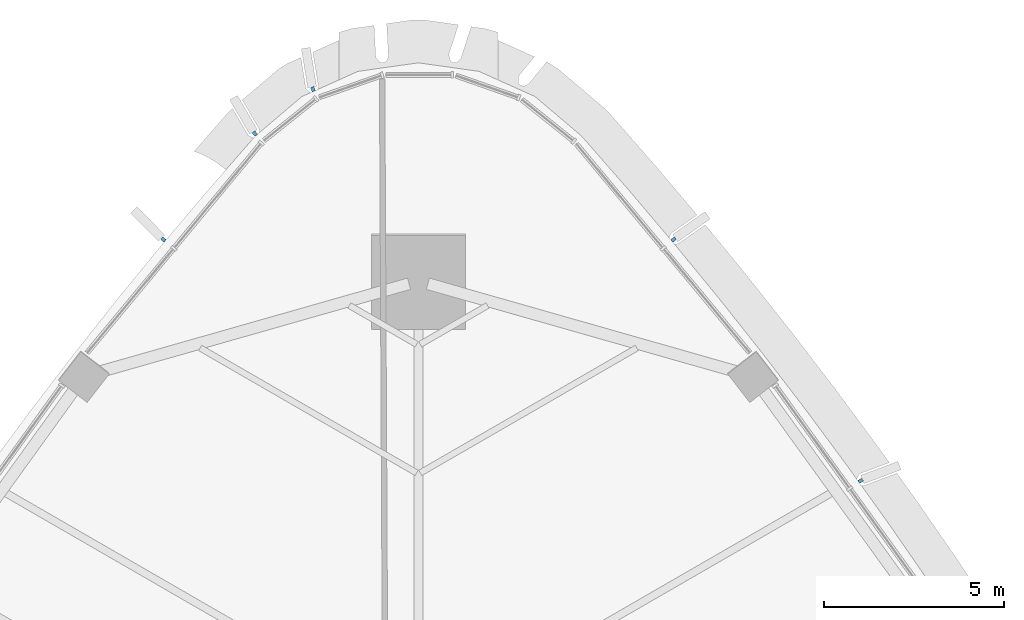
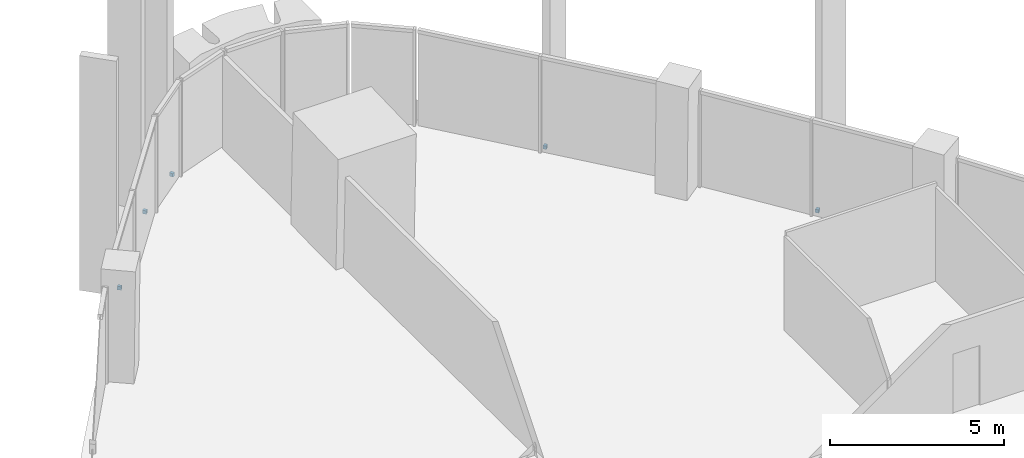
# One storey, part 15 of 19: 5 discrete accessories.
"""IFC4 building model written with IfcOpenShell, lengths in metres."""

from ifc_helpers import new_model, si_unit, direction, frame, origin, origin_2d, place, context, subcontext, project, spatial, rectangle, extrude, material, type_object, element, save


model = new_model("IFC4")

# Units and contexts
model_context = context("Model", 3, precision=1e-05, world=origin(), true_north=direction((0.0, 1.0)))
body_context = subcontext(model_context, "Body", "Model", "MODEL_VIEW")
ifc_project = project(units=[si_unit("LENGTHUNIT", "METRE"), si_unit("AREAUNIT", "SQUARE_METRE"), si_unit("VOLUMEUNIT", "CUBIC_METRE"), si_unit("PLANEANGLEUNIT", "RADIAN"), si_unit("MASSUNIT", "GRAM", prefix="KILO")], contexts=[model_context])

# Site, building, storey
site_placement = place(None, origin())
site = spatial("IfcSite", under=ifc_project, at=site_placement, CompositionType="ELEMENT")
building_placement = place(site_placement, origin())
building = spatial("IfcBuilding", under=site, at=building_placement, Name="Sierra Prisma Convention Tower", CompositionType="ELEMENT")
storey_placement = place(building_placement, frame((0.0, 0.0, 193.800048828125)))
storey = spatial("IfcBuildingStorey", under=building, at=storey_placement, Name="L43", CompositionType="ELEMENT", Elevation=193.800048828125)

# Discrete accessories
ifc_material = material(Name="Stainless steel 316", Category="steel")
discrete_accessory_type = type_object("IfcDiscreteAccessoryType", Name="Fin bracket", PredefinedType="BRACKET", material=ifc_material)
for number, where, z_axis, x_axis, name in (
    (1, (12.27197265625, 21.2314453125, -0.135009765625), (0.0, 0.0, 1.0), (0.813205803504, 0.581976220431, 0.0), "Fin bracket L43.36 base"),
    (2, (7.07958984375, 27.925048828125, -0.135009765625), (0.0, 0.0, 1.0), (0.76325829691, 0.646093470171, 0.0), "Fin bracket L43.39 base"),
    (3, (-2.927490234375, 32.099365234375, -0.135009765625), (0.0, 0.0, 1.0), (-0.409563821121, 0.912281467766, 0.0), "Fin bracket L43.44 base"),
    (4, (-4.538330078125, 30.867431640625, -0.135009765625), (0.0, 0.0, 1.0), (-0.646732932176, 0.762716536099, 0.0), "Fin bracket L43.45 base"),
    (5, (-7.07958984375, 27.925048828125, -0.135009765625), (0.0, 0.0, 1.0), (-0.76325829691, 0.646093470171, 0.0), "Fin bracket L43.46 base"),
):
    element("IfcDiscreteAccessory", number, at=place(storey_placement, frame(where, z_axis=z_axis, x_axis=x_axis)), inside=storey, type_object=discrete_accessory_type, Name=name, PredefinedType="BRACKET", context=body_context, shape_type="SweptSolid", body=[
        extrude(rectangle(XDim=0.1201171875, YDim=0.10009765625, at=origin_2d()), origin(), (0.0, 0.0, 1.0), 0.1201171875),
    ])

save(model, "model.ifc")
